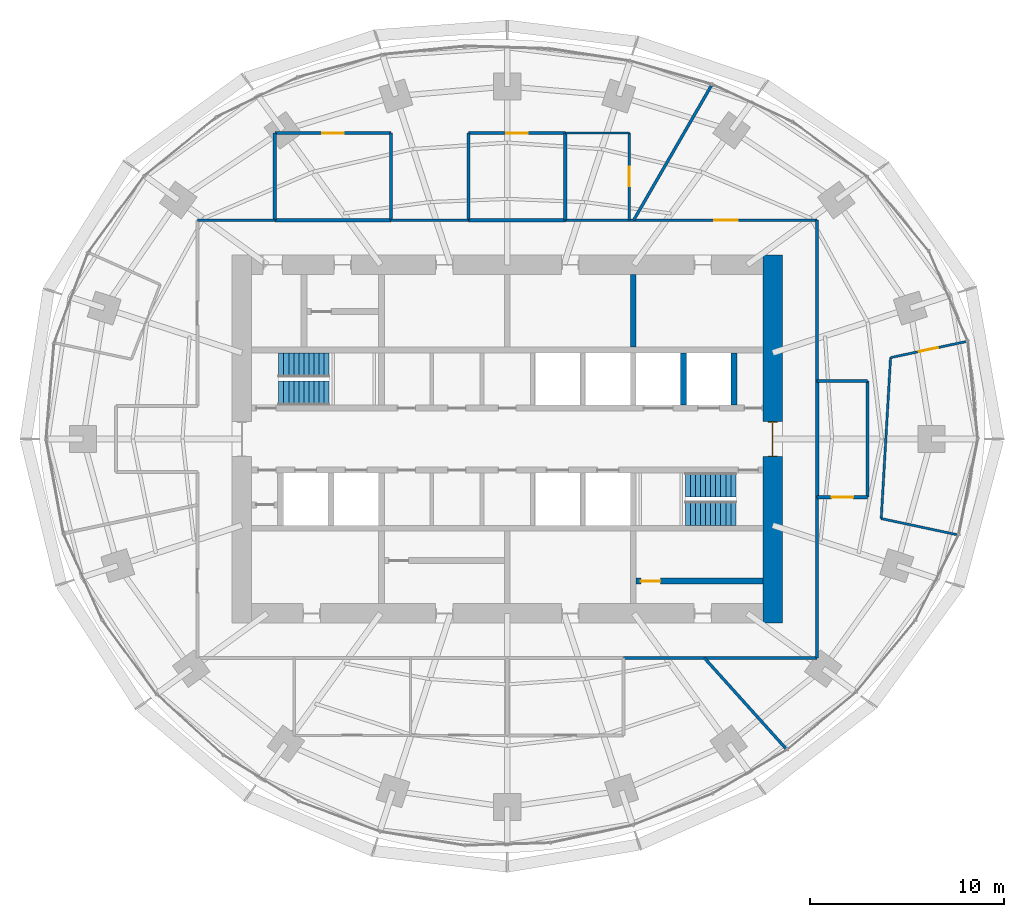
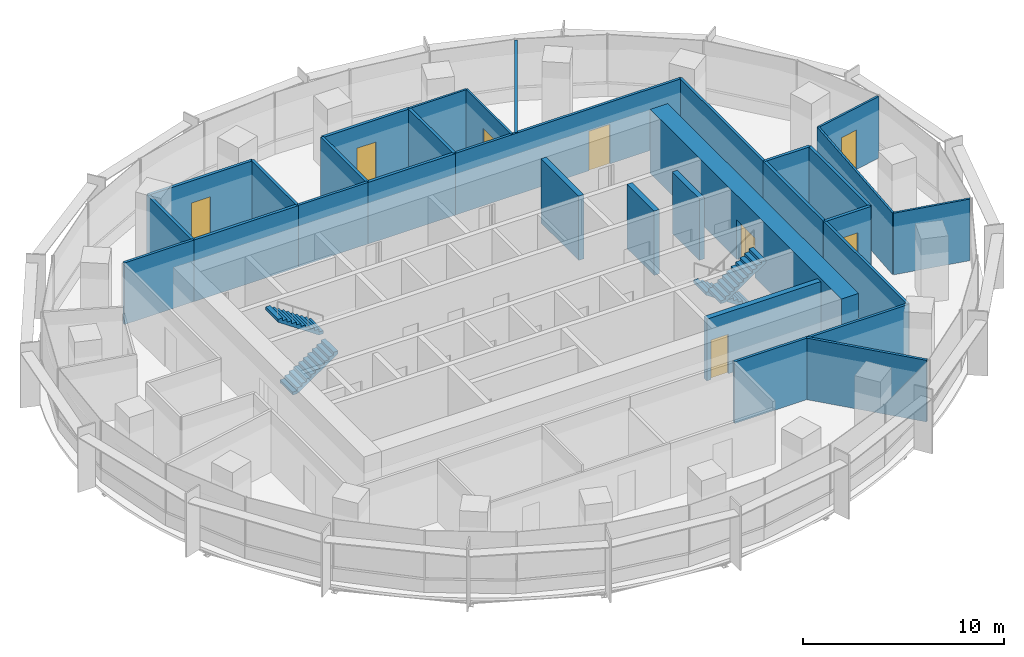
# One storey, part 12 of 14: 30 walls, 8 doors, 4 stair flights, 8 openings, 2 elements without a shape of their own.
"""IFC4 building model written with IfcOpenShell, lengths in metres."""

import ifcopenshell
import ifcopenshell.guid

model = None  # the IFC model being written
_history = None  # IfcOwnerHistory: only IFC2X3 demands one
_inside = {}  # id of a spatial element -> (the spatial element, [elements in it])
_under = {}  # id of a project, library or spatial element -> (it, [spatial elements below it])
_declared = {}  # id of a project -> (the project, [libraries it declares])
_typed = {}  # id of a type object -> (the type object, [elements of that type])
_made_of = {}  # id of a material, layer set ... -> (it, [elements and type objects made of it])


def new_model(schema):
    """Start an empty IFC model of exactly this schema.

    Asked for "IFC4X3", IfcOpenShell would pick the latest addendum, in which some entities
    have other attributes; the version numbers below select the first issue.
    IFC2X3 requires an IfcOwnerHistory on every rooted entity: one is made here for all.
    """
    global model, _history
    if schema == "IFC4X3":
        model = ifcopenshell.file(schema_version=(4, 3, 0, 0))
    else:
        model = ifcopenshell.file(schema=schema)
    _inside.clear()
    _under.clear()
    _declared.clear()
    _typed.clear()
    _made_of.clear()
    _history = None
    if model.schema == "IFC2X3":
        org = make("IfcOrganization", Name="unknown")
        user = make(
            "IfcPersonAndOrganization",
            ThePerson=make("IfcPerson", FamilyName="unknown"),
            TheOrganization=org,
        )
        app = make(
            "IfcApplication",
            ApplicationDeveloper=org,
            Version="unknown",
            ApplicationFullName="unknown",
            ApplicationIdentifier="unknown",
        )
        _history = make(
            "IfcOwnerHistory",
            OwningUser=user,
            OwningApplication=app,
            ChangeAction="ADDED",
            CreationDate=0,
        )
    return model


def make(cls, **values):
    """One entity of the class cls with the attributes given. An attribute that is None is left unset."""
    return model.create_entity(
        cls, **{name: value for name, value in values.items() if value is not None}
    )


def rooted(cls, **values):
    """An entity with a GlobalId (a new one), such as an element, a storey or a relation."""
    return make(cls, GlobalId=ifcopenshell.guid.new(), OwnerHistory=_history, **values)


def si_unit(unit_type, name, prefix=None):
    """IfcSIUnit, for example si_unit("LENGTHUNIT", "METRE", prefix="MILLI")."""
    return make("IfcSIUnit", UnitType=unit_type, Prefix=prefix, Name=name)


def assignment(units):
    """IfcUnitAssignment: the units of a project."""
    return None if units is None else make("IfcUnitAssignment", Units=units)


def point(xyz):
    """IfcCartesianPoint."""
    return None if xyz is None else make("IfcCartesianPoint", Coordinates=xyz)


def direction(xyz):
    """IfcDirection."""
    return None if xyz is None else make("IfcDirection", DirectionRatios=xyz)


def frame(location, z_axis=None, x_axis=None):
    """IfcAxis2Placement3D, a coordinate frame: its origin and axes. An axis left out is left unset."""
    return make(
        "IfcAxis2Placement3D",
        Location=point(location),
        Axis=direction(z_axis),
        RefDirection=direction(x_axis),
    )


def frame_2d(location, x_axis=None):
    """IfcAxis2Placement2D, a coordinate frame in the plane: its origin and x axis."""
    return make(
        "IfcAxis2Placement2D", Location=point(location), RefDirection=direction(x_axis)
    )


def origin():
    """The frame at (0, 0, 0) with its axes left unset."""
    return frame((0.0, 0.0, 0.0))


def place(relative_to, where):
    """IfcLocalPlacement: puts the frame where relative to a parent placement (None: the world)."""
    return make(
        "IfcLocalPlacement", PlacementRelTo=relative_to, RelativePlacement=where
    )


def context(
    kind, dimensions, precision=None, world=None, true_north=None, identifier=None
):
    """IfcGeometricRepresentationContext, for example the 3D "Model" context."""
    return make(
        "IfcGeometricRepresentationContext",
        ContextIdentifier=identifier,
        ContextType=kind,
        CoordinateSpaceDimension=dimensions,
        Precision=precision,
        WorldCoordinateSystem=world,
        TrueNorth=true_north,
    )


def subcontext(parent, identifier, kind, view, scale=None):
    """IfcGeometricRepresentationSubContext, for example "Body" below "Model"."""
    return make(
        "IfcGeometricRepresentationSubContext",
        ContextIdentifier=identifier,
        ContextType=kind,
        ParentContext=parent,
        TargetScale=scale,
        TargetView=view,
    )


def project(units=None, contexts=None):
    """IfcProject with its units and contexts."""
    return rooted(
        "IfcProject",
        Name="project",
        RepresentationContexts=contexts,
        UnitsInContext=assignment(units),
    )


def spatial(cls, under=None, at=None, **own):
    """A site, building, storey or space (cls), placed at a placement, below another one or the project."""
    s = rooted(cls, ObjectPlacement=at, **own)
    if under is not None:
        _under.setdefault(under.id(), (under, []))[1].append(s)
    return s


def polyline(points):
    """IfcPolyline through the points."""
    return make("IfcPolyline", Points=[point(p) for p in points])


def profile(cls, at=None, kind="AREA", **sizes):
    """A parametric profile (cls). Its sizes go by their IFC names, for example OverallWidth=200.0."""
    return make(cls, ProfileType=kind, Position=at, **sizes)


def rectangle(**sizes):
    """IfcRectangleProfileDef."""
    return profile("IfcRectangleProfileDef", **sizes)


def outline(outer, holes=None, kind="AREA"):
    """IfcArbitraryClosedProfileDef: a profile drawn as a closed curve; with holes, ...WithVoids."""
    if holes is None:
        return make("IfcArbitraryClosedProfileDef", ProfileType=kind, OuterCurve=outer)
    return make(
        "IfcArbitraryProfileDefWithVoids",
        ProfileType=kind,
        OuterCurve=outer,
        InnerCurves=holes,
    )


def extrude(swept, where, along, depth):
    """IfcExtrudedAreaSolid: the profile swept, set in the frame where, extruded along a direction by depth."""
    return make(
        "IfcExtrudedAreaSolid",
        SweptArea=swept,
        Position=where,
        ExtrudedDirection=direction(along),
        Depth=depth,
    )


def shape(context_of_items, identifier, shape_type, items):
    """IfcShapeRepresentation: the items that make up one representation, for example the "Body"."""
    return make(
        "IfcShapeRepresentation",
        ContextOfItems=context_of_items,
        RepresentationIdentifier=identifier,
        RepresentationType=shape_type,
        Items=items,
    )


def material(Name=None, Category=None):
    """IfcMaterial."""
    return make("IfcMaterial", Name=Name, Category=Category)


def layer(
    of_material, thickness, ventilated=None, Name=None, Category=None, Priority=None
):
    """IfcMaterialLayer: one layer of a wall or slab, of a material (None: an air gap)."""
    return make(
        "IfcMaterialLayer",
        Material=of_material,
        LayerThickness=thickness,
        IsVentilated=ventilated,
        Name=Name,
        Category=Category,
        Priority=Priority,
    )


def layer_set(layers, Name=None):
    """IfcMaterialLayerSet."""
    return make("IfcMaterialLayerSet", MaterialLayers=layers, LayerSetName=Name)


def made_of(thing, what):
    """Note that an element or type object is made of a material, layer set ...; save() writes the relation."""
    if what is not None:
        _made_of.setdefault(what.id(), (what, []))[1].append(thing)
    return thing


def type_object(cls, material=None, **own):
    """A type object (cls), such as IfcWallType, which elements share."""
    return made_of(rooted(cls, **own), material)


def element(
    cls,
    number,
    at=None,
    inside=None,
    cuts=None,
    type_object=None,
    material=None,
    context=None,
    identifier="Body",
    shape_type=None,
    held_by="IfcProductDefinitionShape",
    body=None,
    shapes=None,
    **own,
):
    """One element of the class cls, such as IfcWall. Its Tag is "e" and its number.

    at: its placement. inside: the storey or other place that contains it. cuts: it is an
    opening in that element (IfcRelVoidsElement). A single representation is given by context,
    identifier, shape_type and body (its items); several are given by shapes. held_by: the class
    of the entity that holds the representations. save() writes the other relations.
    """
    e = rooted(cls, Tag="e%d" % number, ObjectPlacement=at, **own)
    if body is not None:
        shapes = [shape(context, identifier, shape_type, body)]
    if shapes is not None:
        e.Representation = make(held_by, Representations=shapes)
    if inside is not None:
        _inside.setdefault(inside.id(), (inside, []))[1].append(e)
    if cuts is not None:
        rooted(
            "IfcRelVoidsElement", RelatingBuildingElement=cuts, RelatedOpeningElement=e
        )
    if type_object is not None:
        _typed.setdefault(type_object.id(), (type_object, []))[1].append(e)
    return made_of(e, material)


def fill(opening, filler):
    """IfcRelFillsElement: the door or window that sits in an opening."""
    return rooted(
        "IfcRelFillsElement",
        RelatingOpeningElement=opening,
        RelatedBuildingElement=filler,
    )


def aggregate(whole, parts):
    """IfcRelAggregates: a whole, such as a stair, and the parts it consists of."""
    return rooted("IfcRelAggregates", RelatingObject=whole, RelatedObjects=parts)


def save(model, path):
    """Write the relations noted so far, then the file.

    IfcRelAggregates (storeys below a building ...), IfcRelContainedInSpatialStructure (elements
    in a storey), IfcRelDefinesByType, IfcRelAssociatesMaterial and IfcRelDeclares: one each for
    every whole, place, type object, material and project.
    """
    for whole, parts in _under.values():
        aggregate(whole, parts)
    for where, things in _inside.values():
        rooted(
            "IfcRelContainedInSpatialStructure",
            RelatedElements=things,
            RelatingStructure=where,
        )
    for kind, things in _typed.values():
        rooted("IfcRelDefinesByType", RelatedObjects=things, RelatingType=kind)
    for what, things in _made_of.values():
        rooted("IfcRelAssociatesMaterial", RelatedObjects=things, RelatingMaterial=what)
    for by, libraries in _declared.values():
        rooted("IfcRelDeclares", RelatingContext=by, RelatedDefinitions=libraries)
    model.write(path)


model = new_model("IFC4")

# Units and contexts
model_context = context("Model", 3, precision=1e-05, world=origin(), true_north=direction((0.0, 1.0)))
body_context = subcontext(model_context, "Body", "Model", "MODEL_VIEW")
ifc_project = project(units=[si_unit("LENGTHUNIT", "METRE"), si_unit("AREAUNIT", "SQUARE_METRE"), si_unit("VOLUMEUNIT", "CUBIC_METRE"), si_unit("PLANEANGLEUNIT", "RADIAN"), si_unit("MASSUNIT", "GRAM", prefix="KILO")], contexts=[model_context])

# Site, building, storey
site_placement = place(None, origin())
site = spatial("IfcSite", under=ifc_project, at=site_placement, CompositionType="ELEMENT")
building_placement = place(site_placement, origin())
building = spatial("IfcBuilding", under=site, at=building_placement, Name="Marramba Exchange Tower", CompositionType="ELEMENT")
storey_placement = place(building_placement, frame((0.0, 0.0, 199.39990234375)))
storey = spatial("IfcBuildingStorey", under=building, at=storey_placement, Name="L48", CompositionType="ELEMENT", Elevation=199.39990234375)

# Wall, opening, door
ifc_material_1 = material(Name="Plasterboard on staggered double steel studs, acoustic insulation", Category="steel")
ifc_layer_1 = layer(ifc_material_1, 0.169921875)
ifc_layer_set_1 = layer_set([ifc_layer_1], Name="Acoustic partition 170")
wall_type_1 = type_object("IfcWallType", Name="Acoustic partition 170", PredefinedType="PARTITIONING", material=ifc_layer_set_1)
wall_1_placement = place(storey_placement, frame((16.0, -3.0, 0.0), z_axis=(0.0, 0.0, 1.0), x_axis=(1.0, 0.0, 0.0)))
wall_1 = element("IfcWall", 1, at=wall_1_placement, inside=storey, type_object=wall_type_1, Name="Acoustic partition L48 16", PredefinedType="PARTITIONING", context=body_context, shape_type="SweptSolid", body=[
    extrude(rectangle(XDim=2.60009765625, YDim=0.169921875, at=frame_2d((1.300048828125, 0.0))), origin(), (0.0, 0.0, 1.0), 3.739990234375),
])
opening_1_placement = place(wall_1_placement, frame((0.75, 0.0, 0.0)))
opening_1 = element("IfcOpeningElement", 2, at=opening_1_placement, cuts=wall_1, Name="Opening D15", PredefinedType="OPENING", context=body_context, shape_type="SweptSolid", body=[
    extrude(rectangle(XDim=1.10009765625, YDim=2.39990234375, at=frame_2d((0.550048828125, 1.199951171875))), frame((0.0, 0.094970703125, 0.0), z_axis=(0.0, -1.0, 0.0), x_axis=(1.0, 0.0, 0.0)), (0.0, 0.0, 1.0), 0.18994140625),
])
ifc_material_2 = material(Name="Timber door", Category="wood")
door_type_1 = type_object("IfcDoorType", Name="Glazed meeting room door 1100x2400", OperationType="SINGLE_SWING_LEFT", PredefinedType="DOOR", material=ifc_material_2)
door_1_placement = place(opening_1_placement, origin())
door_1 = element("IfcDoor", 3, at=door_1_placement, inside=storey, type_object=door_type_1, Name="D15 Meeting Room 1 L48", OperationType="SINGLE_SWING_RIGHT", OverallHeight=2.39990234375, OverallWidth=1.10009765625, PredefinedType="DOOR", context=body_context, shape_type="SweptSolid", body=[
    extrude(rectangle(XDim=1.10009765625, YDim=2.39990234375, at=frame_2d((0.550048828125, 1.199951171875))), frame((0.0, 0.02490234375, 0.0), z_axis=(0.0, -1.0, 0.0), x_axis=(1.0, 0.0, 0.0)), (0.0, 0.0, 1.0), 0.050048828125),
])
fill(opening_1, door_1)

# Walls
for number, where, z_axis, x_axis, name in (
    (4, (16.0, 3.0, 0.0), (0.0, 0.0, 1.0), (0.0, -1.0, 0.0), "Acoustic partition L48 17"),
    (5, (18.60009765625, -3.0, 0.0), (0.0, 0.0, 1.0), (0.0, 1.0, 0.0), "Acoustic partition L48 18"),
):
    element("IfcWall", number, at=place(storey_placement, frame(where, z_axis=z_axis, x_axis=x_axis)), inside=storey, type_object=wall_type_1, Name=name, PredefinedType="PARTITIONING", context=body_context, shape_type="SweptSolid", body=[
        extrude(rectangle(XDim=6.0, YDim=0.169921875, at=frame_2d((3.0, 0.0))), origin(), (0.0, 0.0, 1.0), 3.739990234375),
    ])
wall_2_placement = place(storey_placement, frame((18.60009765625, 3.0, 0.0), z_axis=(0.0, 0.0, 1.0), x_axis=(-1.0, 0.0, 0.0)))
element("IfcWall", 6, at=wall_2_placement, inside=storey, type_object=wall_type_1, Name="Acoustic partition L48 20", PredefinedType="PARTITIONING", context=body_context, shape_type="SweptSolid", body=[
    extrude(rectangle(XDim=2.60009765625, YDim=0.169921875, at=frame_2d((1.300048828125, 0.0))), origin(), (0.0, 0.0, 1.0), 3.739990234375),
])
wall_3_placement = place(storey_placement, frame((3.0, 15.800048828125, 0.0), z_axis=(0.0, 0.0, 1.0), x_axis=(0.0, -1.0, 0.0)))
element("IfcWall", 7, at=wall_3_placement, inside=storey, type_object=wall_type_1, Name="Acoustic partition L48 27", PredefinedType="PARTITIONING", context=body_context, shape_type="SweptSolid", body=[
    extrude(rectangle(XDim=4.5, YDim=0.169921875, at=frame_2d((2.25, 0.0))), origin(), (0.0, 0.0, 1.0), 3.739990234375),
])
wall_4_placement = place(storey_placement, frame((-2.0, 11.300048828125, 0.0), z_axis=(0.0, 0.0, 1.0), x_axis=(1.0, 0.0, 0.0)))
element("IfcWall", 8, at=wall_4_placement, inside=storey, type_object=wall_type_1, Name="Acoustic partition L48 28", PredefinedType="PARTITIONING", context=body_context, shape_type="SweptSolid", body=[
    extrude(rectangle(XDim=5.0, YDim=0.169921875, at=frame_2d((2.5, 0.0))), origin(), (0.0, 0.0, 1.0), 3.739990234375),
])

# Wall, opening, door
wall_5_placement = place(storey_placement, frame((3.0, 15.800048828125, 0.0), z_axis=(0.0, 0.0, 1.0), x_axis=(-1.0, 0.0, 0.0)))
wall_5 = element("IfcWall", 9, at=wall_5_placement, inside=storey, type_object=wall_type_1, Name="Acoustic partition L48 29", PredefinedType="PARTITIONING", context=body_context, shape_type="SweptSolid", body=[
    extrude(rectangle(XDim=5.0, YDim=0.169921875, at=frame_2d((2.5, 0.0))), origin(), (0.0, 0.0, 1.0), 3.739990234375),
])
opening_2_placement = place(wall_5_placement, frame((1.949951171875, 0.0, 0.0)))
opening_2 = element("IfcOpeningElement", 10, at=opening_2_placement, cuts=wall_5, Name="Opening D15", PredefinedType="OPENING", context=body_context, shape_type="SweptSolid", body=[
    extrude(rectangle(XDim=1.10009765625, YDim=2.39990234375, at=frame_2d((0.550048828125, 1.199951171875))), frame((0.0, 0.094970703125, 0.0), z_axis=(0.0, -1.0, 0.0), x_axis=(1.0, 0.0, 0.0)), (0.0, 0.0, 1.0), 0.18994140625),
])
door_2_placement = place(opening_2_placement, origin())
door_2 = element("IfcDoor", 11, at=door_2_placement, inside=storey, type_object=door_type_1, Name="D15 Meeting Room 2 L48", OperationType="SINGLE_SWING_RIGHT", OverallHeight=2.39990234375, OverallWidth=1.10009765625, PredefinedType="DOOR", context=body_context, shape_type="SweptSolid", body=[
    extrude(rectangle(XDim=1.10009765625, YDim=2.39990234375, at=frame_2d((0.550048828125, 1.199951171875))), frame((0.0, 0.02490234375, 0.0), z_axis=(0.0, -1.0, 0.0), x_axis=(1.0, 0.0, 0.0)), (0.0, 0.0, 1.0), 0.050048828125),
])
fill(opening_2, door_2)

# Walls
for number, where, z_axis, x_axis, name in (
    (12, (-2.0, 15.800048828125, 0.0), (0.0, 0.0, 1.0), (0.0, -1.0, 0.0), "Acoustic partition L48 30"),
    (13, (-6.0, 11.300048828125, 0.0), (0.0, 0.0, 1.0), (0.0, 1.0, 0.0), "Acoustic partition L48 32"),
):
    element("IfcWall", number, at=place(storey_placement, frame(where, z_axis=z_axis, x_axis=x_axis)), inside=storey, type_object=wall_type_1, Name=name, PredefinedType="PARTITIONING", context=body_context, shape_type="SweptSolid", body=[
        extrude(rectangle(XDim=4.5, YDim=0.169921875, at=frame_2d((2.25, 0.0))), origin(), (0.0, 0.0, 1.0), 3.739990234375),
    ])

# Wall, opening, door
wall_6_placement = place(storey_placement, frame((-6.0, 15.800048828125, 0.0), z_axis=(0.0, 0.0, 1.0), x_axis=(-1.0, 0.0, 0.0)))
wall_6 = element("IfcWall", 14, at=wall_6_placement, inside=storey, type_object=wall_type_1, Name="Acoustic partition L48 33", PredefinedType="PARTITIONING", context=body_context, shape_type="SweptSolid", body=[
    extrude(rectangle(XDim=6.0, YDim=0.169921875, at=frame_2d((3.0, 0.0))), origin(), (0.0, 0.0, 1.0), 3.739990234375),
])
opening_3_placement = place(wall_6_placement, frame((2.449951171875, 0.0, 0.0)))
opening_3 = element("IfcOpeningElement", 15, at=opening_3_placement, cuts=wall_6, Name="Opening D15", PredefinedType="OPENING", context=body_context, shape_type="SweptSolid", body=[
    extrude(rectangle(XDim=1.10009765625, YDim=2.39990234375, at=frame_2d((0.550048828125, 1.199951171875))), frame((0.0, 0.094970703125, 0.0), z_axis=(0.0, -1.0, 0.0), x_axis=(1.0, 0.0, 0.0)), (0.0, 0.0, 1.0), 0.18994140625),
])
door_3_placement = place(opening_3_placement, origin())
door_3 = element("IfcDoor", 16, at=door_3_placement, inside=storey, type_object=door_type_1, Name="D15 Meeting Room 3 L48", OperationType="SINGLE_SWING_RIGHT", OverallHeight=2.39990234375, OverallWidth=1.10009765625, PredefinedType="DOOR", context=body_context, shape_type="SweptSolid", body=[
    extrude(rectangle(XDim=1.10009765625, YDim=2.39990234375, at=frame_2d((0.550048828125, 1.199951171875))), frame((0.0, 0.02490234375, 0.0), z_axis=(0.0, -1.0, 0.0), x_axis=(1.0, 0.0, 0.0)), (0.0, 0.0, 1.0), 0.050048828125),
])
fill(opening_3, door_3)

# Walls
wall_7_placement = place(storey_placement, frame((-12.0, 11.300048828125, 0.0), z_axis=(0.0, 0.0, 1.0), x_axis=(1.0, 0.0, 0.0)))
element("IfcWall", 17, at=wall_7_placement, inside=storey, type_object=wall_type_1, Name="Acoustic partition L48 34", PredefinedType="PARTITIONING", context=body_context, shape_type="SweptSolid", body=[
    extrude(rectangle(XDim=6.0, YDim=0.169921875, at=frame_2d((3.0, 0.0))), origin(), (0.0, 0.0, 1.0), 3.739990234375),
])
wall_8_placement = place(storey_placement, frame((-12.0, 15.800048828125, 0.0), z_axis=(0.0, 0.0, 1.0), x_axis=(0.0, -1.0, 0.0)))
element("IfcWall", 18, at=wall_8_placement, inside=storey, type_object=wall_type_1, Name="Acoustic partition L48 35", PredefinedType="PARTITIONING", context=body_context, shape_type="SweptSolid", body=[
    extrude(rectangle(XDim=4.5, YDim=0.169921875, at=frame_2d((2.25, 0.0))), origin(), (0.0, 0.0, 1.0), 3.739990234375),
])

# Wall, opening, door
ifc_material_3 = material(Name="Concrete N50", Category="concrete")
ifc_layer_2 = layer(ifc_material_3, 1.0)
ifc_layer_set_2 = layer_set([ifc_layer_2], Name="Core wall 1000")
wall_type_2 = type_object("IfcWallType", Name="Core wall 1000", PredefinedType="SHEAR", material=ifc_layer_set_2)
wall_9_placement = place(storey_placement, frame((13.699951171875, -9.5, 0.0), z_axis=(0.0, 0.0, 1.0), x_axis=(0.0, 1.0, 0.0)))
wall_9 = element("IfcWall", 19, at=wall_9_placement, inside=storey, type_object=wall_type_2, Name="Core wall E L48", PredefinedType="SHEAR", context=body_context, shape_type="SweptSolid", body=[
    extrude(rectangle(XDim=19.0, YDim=1.0, at=frame_2d((9.5, 0.0))), origin(), (0.0, 0.0, 1.0), 3.900146484375),
])
opening_4_placement = place(wall_9_placement, frame((8.60009765625, 0.0, 0.0)))
opening_4 = element("IfcOpeningElement", 20, at=opening_4_placement, cuts=wall_9, Name="Opening D1", PredefinedType="OPENING", context=body_context, shape_type="SweptSolid", body=[
    extrude(rectangle(XDim=1.800048828125, YDim=2.39990234375, at=frame_2d((0.89990234375, 1.199951171875))), frame((0.0, 0.510009765625, 0.0), z_axis=(0.0, -1.0, 0.0), x_axis=(1.0, 0.0, 0.0)), (0.0, 0.0, 1.0), 1.02001953125),
])
ifc_material_4 = material(Name="Steel-framed door", Category="steel")
door_type_2 = type_object("IfcDoorType", Name="Lobby exit door 1800x2400", OperationType="DOUBLE_DOOR_SINGLE_SWING", PredefinedType="DOOR", material=ifc_material_4)
door_4_placement = place(opening_4_placement, origin())
door_4 = element("IfcDoor", 21, at=door_4_placement, inside=storey, type_object=door_type_2, Name="D1 lobby exit east L48", OperationType="DOUBLE_DOOR_SINGLE_SWING", OverallHeight=2.39990234375, OverallWidth=1.800048828125, PredefinedType="DOOR", context=body_context, shape_type="SweptSolid", body=[
    extrude(rectangle(XDim=1.719970703125, YDim=2.35986328125, at=frame_2d((0.89990234375, 1.179931640625))), frame((0.0, 0.02490234375, 0.0), z_axis=(0.0, -1.0, 0.0), x_axis=(1.0, 0.0, 0.0)), (0.0, 0.0, 1.0), 0.050048828125),
    extrude(rectangle(XDim=0.04, YDim=2.39990234375, at=frame_2d((0.02001953125, 1.199951171875))), frame((0.0, 0.25, 0.0), z_axis=(0.0, -1.0, 0.0), x_axis=(1.0, 0.0, 0.0)), (0.0, 0.0, 1.0), 0.5),
    extrude(rectangle(XDim=0.04, YDim=2.39990234375, at=frame_2d((1.780029296875, 1.199951171875))), frame((0.0, 0.25, 0.0), z_axis=(0.0, -1.0, 0.0), x_axis=(1.0, 0.0, 0.0)), (0.0, 0.0, 1.0), 0.5),
    extrude(rectangle(XDim=1.719970703125, YDim=0.04, at=frame_2d((0.89990234375, 2.3798828125))), frame((0.0, 0.25, 0.0), z_axis=(0.0, -1.0, 0.0), x_axis=(1.0, 0.0, 0.0)), (0.0, 0.0, 1.0), 0.5),
])
fill(opening_4, door_4)

# Walls
ifc_layer_3 = layer(ifc_material_3, 0.300048828125)
ifc_layer_set_3 = layer_set([ifc_layer_3], Name="Core wall 300")
wall_type_3 = type_object("IfcWallType", Name="Core wall 300", PredefinedType="SHEAR", material=ifc_layer_set_3)
wall_10_placement = place(storey_placement, frame((6.5, 4.75, 0.0), z_axis=(0.0, 0.0, 1.0), x_axis=(0.0, 1.0, 0.0)))
element("IfcWall", 22, at=wall_10_placement, inside=storey, type_object=wall_type_3, Name="Core wall X1Nb L48", PredefinedType="SHEAR", context=body_context, shape_type="SweptSolid", body=[
    extrude(rectangle(XDim=3.75, YDim=0.300048828125, at=frame_2d((1.875, 0.0))), origin(), (0.0, 0.0, 1.0), 3.900146484375),
])
wall_11_placement = place(storey_placement, frame((9.10009765625, 1.75, 0.0), z_axis=(0.0, 0.0, 1.0), x_axis=(0.0, 1.0, 0.0)))
element("IfcWall", 23, at=wall_11_placement, inside=storey, type_object=wall_type_3, Name="Core wall ED L48", PredefinedType="SHEAR", context=body_context, shape_type="SweptSolid", body=[
    extrude(rectangle(XDim=2.699951171875, YDim=0.300048828125, at=frame_2d((1.35009765625, 0.0))), origin(), (0.0, 0.0, 1.0), 3.900146484375),
])
ifc_material_5 = material(Name="Core-filled concrete blockwork", Category="masonry")
ifc_layer_4 = layer(ifc_material_5, 0.300048828125)
ifc_layer_set_4 = layer_set([ifc_layer_4], Name="Lift shaft wall 300")
wall_type_4 = type_object("IfcWallType", Name="Lift shaft wall 300", PredefinedType="SOLIDWALL", material=ifc_layer_set_4)
wall_12_placement = place(storey_placement, frame((11.699951171875, 1.75, 0.0), z_axis=(0.0, 0.0, 1.0), x_axis=(0.0, 1.0, 0.0)))
element("IfcWall", 24, at=wall_12_placement, inside=storey, type_object=wall_type_4, Name="Lift shaft wall E1 L48", PredefinedType="SOLIDWALL", context=body_context, shape_type="SweptSolid", body=[
    extrude(rectangle(XDim=2.699951171875, YDim=0.300048828125, at=frame_2d((1.35009765625, 0.0))), origin(), (0.0, 0.0, 1.0), 3.739990234375),
])
ifc_material_6 = material(Name="Plasterboard on steel studs", Category="steel")
ifc_layer_5 = layer(ifc_material_6, 0.1201171875)
ifc_layer_set_5 = layer_set([ifc_layer_5], Name="Partition 120")
wall_type_5 = type_object("IfcWallType", Name="Partition 120", PredefinedType="PARTITIONING", material=ifc_layer_set_5)
wall_13_placement = place(storey_placement, frame((19.3056640625, -4.103515625, 0.0), z_axis=(0.0, 0.0, 1.0), x_axis=(0.978137903693, -0.207957306576, 0.0)))
element("IfcWall", 25, at=wall_13_placement, inside=storey, type_object=wall_type_5, Name="Partition L48 15", PredefinedType="PARTITIONING", context=body_context, shape_type="SweptSolid", body=[
    extrude(rectangle(XDim=3.999755859375, YDim=0.1201171875, at=frame_2d((2.0, 0.0))), origin(), (0.0, 0.0, 1.0), 3.739990234375),
])
wall_14_placement = place(storey_placement, frame((19.787841796875, 4.2060546875, 0.0), z_axis=(0.0, 0.0, 1.0), x_axis=(-0.0579293499, -0.998320685161, 0.0)))
element("IfcWall", 26, at=wall_14_placement, inside=storey, type_object=wall_type_5, Name="Partition L48 19", PredefinedType="PARTITIONING", context=body_context, shape_type="SweptSolid", body=[
    extrude(rectangle(XDim=8.323486328125, YDim=0.1201171875, at=frame_2d((4.16162109375, 0.0))), origin(), (0.0, 0.0, 1.0), 3.739990234375),
])

# Wall, opening, door
wall_15_placement = place(storey_placement, frame((23.700439453125, 5.03759765625, 0.0), z_axis=(0.0, 0.0, 1.0), x_axis=(-0.978152955943, -0.207886494942, 0.0)))
wall_15 = element("IfcWall", 27, at=wall_15_placement, inside=storey, type_object=wall_type_5, Name="Partition L48 21", PredefinedType="PARTITIONING", context=body_context, shape_type="SweptSolid", body=[
    extrude(rectangle(XDim=4.0, YDim=0.1201171875, at=frame_2d((2.0, 0.0))), origin(), (0.0, 0.0, 1.0), 3.739990234375),
])
opening_5_placement = place(wall_15_placement, frame((1.5, 0.0, 0.0)))
opening_5 = element("IfcOpeningElement", 28, at=opening_5_placement, cuts=wall_15, Name="Opening D9", PredefinedType="OPENING", context=body_context, shape_type="SweptSolid", body=[
    extrude(rectangle(XDim=1.0, YDim=2.39990234375, at=frame_2d((0.5, 1.199951171875))), frame((0.0, 0.070068359375, 0.0), z_axis=(0.0, -1.0, 0.0), x_axis=(1.0, 0.0, 0.0)), (0.0, 0.0, 1.0), 0.14013671875),
])
door_type_3 = type_object("IfcDoorType", Name="Room door 1000x2400", OperationType="SINGLE_SWING_LEFT", PredefinedType="DOOR", material=ifc_material_2)
door_5_placement = place(opening_5_placement, origin())
door_5 = element("IfcDoor", 29, at=door_5_placement, inside=storey, type_object=door_type_3, Name="D9 Office L48", OperationType="SINGLE_SWING_LEFT", OverallHeight=2.39990234375, OverallWidth=1.0, PredefinedType="DOOR", context=body_context, shape_type="SweptSolid", body=[
    extrude(rectangle(XDim=1.0, YDim=2.39990234375, at=frame_2d((0.5, 1.199951171875))), frame((0.0, 0.02490234375, 0.0), z_axis=(0.0, -1.0, 0.0), x_axis=(1.0, 0.0, 0.0)), (0.0, 0.0, 1.0), 0.050048828125),
])
fill(opening_5, door_5)

wall_16_placement = place(storey_placement, frame((6.300048828125, 11.300048828125, 0.0), z_axis=(0.0, 0.0, 1.0), x_axis=(0.0, 1.0, 0.0)))
wall_16 = element("IfcWall", 30, at=wall_16_placement, inside=storey, type_object=wall_type_5, Name="Partition L48 25", PredefinedType="PARTITIONING", context=body_context, shape_type="SweptSolid", body=[
    extrude(rectangle(XDim=4.5, YDim=0.1201171875, at=frame_2d((2.25, 0.0))), origin(), (0.0, 0.0, 1.0), 3.739990234375),
])
opening_6_placement = place(wall_16_placement, frame((1.75, 0.0, 0.0)))
opening_6 = element("IfcOpeningElement", 31, at=opening_6_placement, cuts=wall_16, Name="Opening D9", PredefinedType="OPENING", context=body_context, shape_type="SweptSolid", body=[
    extrude(rectangle(XDim=1.0, YDim=2.39990234375, at=frame_2d((0.5, 1.199951171875))), frame((0.0, 0.070068359375, 0.0), z_axis=(0.0, -1.0, 0.0), x_axis=(1.0, 0.0, 0.0)), (0.0, 0.0, 1.0), 0.14013671875),
])
door_6_placement = place(opening_6_placement, origin())
door_6 = element("IfcDoor", 32, at=door_6_placement, inside=storey, type_object=door_type_3, Name="D9 Pantry 1 L48", OperationType="SINGLE_SWING_RIGHT", OverallHeight=2.39990234375, OverallWidth=1.0, PredefinedType="DOOR", context=body_context, shape_type="SweptSolid", body=[
    extrude(rectangle(XDim=1.0, YDim=2.39990234375, at=frame_2d((0.5, 1.199951171875))), frame((0.0, 0.02490234375, 0.0), z_axis=(0.0, -1.0, 0.0), x_axis=(1.0, 0.0, 0.0)), (0.0, 0.0, 1.0), 0.050048828125),
])
fill(opening_6, door_6)

# Wall
wall_17_placement = place(storey_placement, frame((6.300048828125, 15.800048828125, 0.0), z_axis=(0.0, 0.0, 1.0), x_axis=(-1.0, 0.0, 0.0)))
element("IfcWall", 33, at=wall_17_placement, inside=storey, type_object=wall_type_5, Name="Partition L48 26", PredefinedType="PARTITIONING", context=body_context, shape_type="SweptSolid", body=[
    extrude(rectangle(XDim=3.300048828125, YDim=0.1201171875, at=frame_2d((1.64990234375, 0.0))), origin(), (0.0, 0.0, 1.0), 3.739990234375),
])

# Wall, opening, door
ifc_material_7 = material(Name="Plasterboard on steel studs, insulated, unrated", Category="steel")
ifc_layer_6 = layer(ifc_material_7, 0.300048828125)
ifc_layer_set_6 = layer_set([ifc_layer_6], Name="Store partition 300")
wall_type_6 = type_object("IfcWallType", Name="Store partition 300", PredefinedType="PARTITIONING", material=ifc_layer_set_6)
wall_18_placement = place(storey_placement, frame((6.64990234375, -7.327880859375, 0.0), z_axis=(0.0, 0.0, 1.0), x_axis=(1.0, 0.0, 0.0)))
wall_18 = element("IfcWall", 34, at=wall_18_placement, inside=storey, type_object=wall_type_6, Name="Store partition L48 cstore", PredefinedType="PARTITIONING", context=body_context, shape_type="SweptSolid", body=[
    extrude(rectangle(XDim=6.550048828125, YDim=0.300048828125, at=frame_2d((3.27490234375, 0.0))), origin(), (0.0, 0.0, 1.0), 3.739990234375),
])
opening_7_placement = place(wall_18_placement, frame((0.25, 0.0, 0.0)))
opening_7 = element("IfcOpeningElement", 35, at=opening_7_placement, cuts=wall_18, Name="Opening D9", PredefinedType="OPENING", context=body_context, shape_type="SweptSolid", body=[
    extrude(rectangle(XDim=1.0, YDim=2.39990234375, at=frame_2d((0.5, 1.199951171875))), frame((0.0, 0.159912109375, 0.0), z_axis=(0.0, -1.0, 0.0), x_axis=(1.0, 0.0, 0.0)), (0.0, 0.0, 1.0), 0.320068359375),
])
door_7_placement = place(opening_7_placement, frame((1.0, 0.0, 0.0), z_axis=(0.0, 0.0, 1.0), x_axis=(-1.0, 0.0, 0.0)))
door_7 = element("IfcDoor", 36, at=door_7_placement, inside=storey, type_object=door_type_3, Name="D9 general store L48", OperationType="SINGLE_SWING_RIGHT", OverallHeight=2.39990234375, OverallWidth=1.0, PredefinedType="DOOR", context=body_context, shape_type="SweptSolid", body=[
    extrude(rectangle(XDim=1.0, YDim=2.39990234375, at=frame_2d((0.5, 1.199951171875))), frame((0.0, 0.025146484375, 0.0), z_axis=(0.0, -1.0, 0.0), x_axis=(1.0, 0.0, 0.0)), (0.0, 0.0, 1.0), 0.050048828125),
])
fill(opening_7, door_7)

# Walls
ifc_material_8 = material(Name="Fire-rated plasterboard on steel studs, acoustic insulation", Category="steel")
ifc_layer_7 = layer(ifc_material_8, 0.14990234375)
ifc_layer_set_7 = layer_set([ifc_layer_7], Name="Tenancy wall 150")
wall_type_7 = type_object("IfcWallType", Name="Tenancy wall 150", PredefinedType="PARTITIONING", material=ifc_layer_set_7)
wall_19_placement = place(storey_placement, frame((14.38525390625, -15.976318359375, 0.0), z_axis=(0.0, 0.0, 1.0), x_axis=(-0.669144767844, 0.743132074174, 0.0)))
element("IfcWall", 37, at=wall_19_placement, inside=storey, type_object=wall_type_7, Name="Tenancy wall L48 12", PredefinedType="PARTITIONING", context=body_context, shape_type="SweptSolid", body=[
    extrude(rectangle(XDim=6.292724609375, YDim=0.14990234375, at=frame_2d((3.146484375, 0.0))), origin(), (0.0, 0.0, 1.0), 3.739990234375),
])
wall_20_placement = place(storey_placement, frame((6.0, -11.300048828125, 0.0), z_axis=(0.0, 0.0, 1.0), x_axis=(1.0, 0.0, 0.0)))
element("IfcWall", 38, at=wall_20_placement, inside=storey, type_object=wall_type_7, Name="Tenancy wall L48 13", PredefinedType="PARTITIONING", context=body_context, shape_type="SweptSolid", body=[
    extrude(rectangle(XDim=10.0, YDim=0.14990234375, at=frame_2d((5.0, 0.0))), origin(), (0.0, 0.0, 1.0), 3.739990234375),
])
for number, where, z_axis, x_axis, name in (
    (39, (16.0, -11.300048828125, 0.0), (0.0, 0.0, 1.0), (0.0, 1.0, 0.0), "Tenancy wall L48 14"),
    (40, (16.0, 3.0, 0.0), (0.0, 0.0, 1.0), (0.0, 1.0, 0.0), "Tenancy wall L48 22"),
):
    element("IfcWall", number, at=place(storey_placement, frame(where, z_axis=z_axis, x_axis=x_axis)), inside=storey, type_object=wall_type_7, Name=name, PredefinedType="PARTITIONING", context=body_context, shape_type="SweptSolid", body=[
        extrude(rectangle(XDim=8.300048828125, YDim=0.14990234375, at=frame_2d((4.14990234375, 0.0))), origin(), (0.0, 0.0, 1.0), 3.739990234375),
    ])

# Wall, opening, door
wall_21_placement = place(storey_placement, frame((16.0, 11.300048828125, 0.0), z_axis=(0.0, 0.0, 1.0), x_axis=(-1.0, 0.0, 0.0)))
wall_21 = element("IfcWall", 41, at=wall_21_placement, inside=storey, type_object=wall_type_7, Name="Tenancy wall L48 23", PredefinedType="PARTITIONING", context=body_context, shape_type="SweptSolid", body=[
    extrude(rectangle(XDim=13.0, YDim=0.14990234375, at=frame_2d((6.5, 0.0))), origin(), (0.0, 0.0, 1.0), 3.739990234375),
])
opening_8_placement = place(wall_21_placement, frame((4.113037109375, 0.0, 0.0)))
opening_8 = element("IfcOpeningElement", 42, at=opening_8_placement, cuts=wall_21, Name="Opening D13", PredefinedType="OPENING", context=body_context, shape_type="SweptSolid", body=[
    extrude(rectangle(XDim=1.199951171875, YDim=2.39990234375, at=frame_2d((0.60009765625, 1.199951171875))), frame((0.0, 0.0849609375, 0.0), z_axis=(0.0, -1.0, 0.0), x_axis=(1.0, 0.0, 0.0)), (0.0, 0.0, 1.0), 0.169921875),
])
door_type_4 = type_object("IfcDoorType", Name="Tenancy entry door 1200x2400", OperationType="SINGLE_SWING_LEFT", PredefinedType="DOOR", material=ifc_material_4)
door_8_placement = place(opening_8_placement, origin())
door_8 = element("IfcDoor", 43, at=door_8_placement, inside=storey, type_object=door_type_4, Name="D13 Office 1 L48", OperationType="SINGLE_SWING_LEFT", OverallHeight=2.39990234375, OverallWidth=1.199951171875, PredefinedType="DOOR", context=body_context, shape_type="SweptSolid", body=[
    extrude(rectangle(XDim=1.199951171875, YDim=2.39990234375, at=frame_2d((0.60009765625, 1.199951171875))), frame((0.0, 0.02490234375, 0.0), z_axis=(0.0, -1.0, 0.0), x_axis=(1.0, 0.0, 0.0)), (0.0, 0.0, 1.0), 0.050048828125),
])
fill(opening_8, door_8)

# Walls
wall_22_placement = place(storey_placement, frame((6.524169921875, 11.300048828125, 0.0), z_axis=(0.0, 0.0, 1.0), x_axis=(0.499985955615, 0.866033512162, 0.0)))
element("IfcWall", 44, at=wall_22_placement, inside=storey, type_object=wall_type_7, Name="Tenancy wall L48 24", PredefinedType="PARTITIONING", context=body_context, shape_type="SweptSolid", body=[
    extrude(rectangle(XDim=8.020263671875, YDim=0.14990234375, at=frame_2d((4.01025390625, 0.0))), origin(), (0.0, 0.0, 1.0), 3.739990234375),
])
for number, where, z_axis, x_axis, name in (
    (45, (-2.0, 11.300048828125, 0.0), (0.0, 0.0, 1.0), (-1.0, 0.0, 0.0), "Tenancy wall L48 31"),
    (46, (-12.0, 11.300048828125, 0.0), (0.0, 0.0, 1.0), (-1.0, 0.0, 0.0), "Tenancy wall L48 36"),
):
    element("IfcWall", number, at=place(storey_placement, frame(where, z_axis=z_axis, x_axis=x_axis)), inside=storey, type_object=wall_type_7, Name=name, PredefinedType="PARTITIONING", context=body_context, shape_type="SweptSolid", body=[
        extrude(rectangle(XDim=4.0, YDim=0.14990234375, at=frame_2d((2.0, 0.0))), origin(), (0.0, 0.0, 1.0), 3.739990234375),
    ])

# Stair, stair flights
ifc_material_9 = material(Name="Concrete N40 (40 MPa)", Category="concrete")
stair_type_1 = type_object("IfcStairType", Name="Exit stair ST1 3900 x 1250", PredefinedType="HALF_TURN_STAIR", material=ifc_material_9)
stair_1_placement = place(storey_placement, origin())
stair_1 = element("IfcStair", 47, at=stair_1_placement, inside=storey, type_object=stair_type_1, Name="Exit stair ST1 L48", PredefinedType="HALF_TURN_STAIR")
stair_flight_type_1 = type_object("IfcStairFlightType", Name="ST1 stair flight 1773 riser 1250 wide", PredefinedType="STRAIGHT", material=ifc_material_9)
stair_flight_1_placement = place(storey_placement, frame((-11.800048828125, 2.375, 0.0), z_axis=(0.0, 0.0, 1.0), x_axis=(1.0, 0.0, 0.0)))
stair_flight_1 = element("IfcStairFlight", 48, at=stair_flight_1_placement, type_object=stair_flight_type_1, Name="ST1 flight 1", NumberOfRisers=11, NumberOfTreads=10, PredefinedType="STRAIGHT", RiserHeight=0.177272727, TreadLength=0.26, context=body_context, shape_type="SweptSolid", body=[
    extrude(outline(polyline([(0.0, 0.0), (0.0, 0.17724609375), (0.260009765625, 0.17724609375), (0.260009765625, 0.3544921875), (0.52001953125, 0.3544921875), (0.52001953125, 0.53173828125), (0.780029296875, 0.53173828125), (0.780029296875, 0.708984375), (1.0400390625, 0.708984375), (1.0400390625, 0.886474609375), (1.300048828125, 0.886474609375), (1.300048828125, 1.063720703125), (1.56005859375, 1.063720703125), (1.56005859375, 1.240966796875), (1.820068359375, 1.240966796875), (1.820068359375, 1.418212890625), (2.080078125, 1.418212890625), (2.080078125, 1.595458984375), (2.340087890625, 1.595458984375), (2.340087890625, 1.772705078125), (2.60009765625, 1.772705078125), (2.60009765625, 1.949951171875), (2.60009765625, 1.59130859375), (0.26611328125, 0.0), (0.0, 0.0)])), frame((0.0, 0.625, 0.0), z_axis=(0.0, -1.0, 0.0), x_axis=(1.0, 0.0, 0.0)), (0.0, 0.0, 1.0), 1.25),
])
stair_flight_2_placement = place(storey_placement, frame((-9.199951171875, 3.824951171875, 1.9501953125), z_axis=(0.0, 0.0, 1.0), x_axis=(-1.0, 0.0, 0.0)))
stair_flight_2 = element("IfcStairFlight", 49, at=stair_flight_2_placement, type_object=stair_flight_type_1, Name="ST1 flight 2", NumberOfRisers=11, NumberOfTreads=10, PredefinedType="STRAIGHT", RiserHeight=0.177272727, TreadLength=0.26, context=body_context, shape_type="SweptSolid", body=[
    extrude(outline(polyline([(0.0, 0.0), (0.0, 0.17724609375), (0.260009765625, 0.17724609375), (0.260009765625, 0.3544921875), (0.52001953125, 0.3544921875), (0.52001953125, 0.53173828125), (0.780029296875, 0.53173828125), (0.780029296875, 0.708984375), (1.0400390625, 0.708984375), (1.0400390625, 0.886474609375), (1.300048828125, 0.886474609375), (1.300048828125, 1.063720703125), (1.56005859375, 1.063720703125), (1.56005859375, 1.240966796875), (1.820068359375, 1.240966796875), (1.820068359375, 1.418212890625), (2.080078125, 1.418212890625), (2.080078125, 1.595458984375), (2.340087890625, 1.595458984375), (2.340087890625, 1.772705078125), (2.60009765625, 1.772705078125), (2.60009765625, 1.949951171875), (2.60009765625, 1.59130859375), (0.26611328125, 0.0), (0.0, 0.0)])), frame((0.0, 0.625, 0.0), z_axis=(0.0, -1.0, 0.0), x_axis=(1.0, 0.0, 0.0)), (0.0, 0.0, 1.0), 1.25),
])
aggregate(stair_1, [stair_flight_1, stair_flight_2])

stair_type_2 = type_object("IfcStairType", Name="Exit stair ST2 3900 x 1250", PredefinedType="HALF_TURN_STAIR", material=ifc_material_9)
stair_2_placement = place(storey_placement, origin())
stair_2 = element("IfcStair", 50, at=stair_2_placement, inside=storey, type_object=stair_type_2, Name="Exit stair ST2 L48", PredefinedType="HALF_TURN_STAIR")
stair_flight_type_2 = type_object("IfcStairFlightType", Name="ST2 stair flight 1773 riser 1250 wide", PredefinedType="STRAIGHT", material=ifc_material_9)
stair_flight_3_placement = place(storey_placement, frame((11.800048828125, -2.375, 0.0), z_axis=(0.0, 0.0, 1.0), x_axis=(-1.0, 0.0, 0.0)))
stair_flight_3 = element("IfcStairFlight", 51, at=stair_flight_3_placement, type_object=stair_flight_type_2, Name="ST2 flight 1", NumberOfRisers=11, NumberOfTreads=10, PredefinedType="STRAIGHT", RiserHeight=0.177272727, TreadLength=0.26, context=body_context, shape_type="SweptSolid", body=[
    extrude(outline(polyline([(0.0, 0.0), (0.0, 0.17724609375), (0.260009765625, 0.17724609375), (0.260009765625, 0.3544921875), (0.52001953125, 0.3544921875), (0.52001953125, 0.53173828125), (0.780029296875, 0.53173828125), (0.780029296875, 0.708984375), (1.0400390625, 0.708984375), (1.0400390625, 0.886474609375), (1.300048828125, 0.886474609375), (1.300048828125, 1.063720703125), (1.56005859375, 1.063720703125), (1.56005859375, 1.240966796875), (1.820068359375, 1.240966796875), (1.820068359375, 1.418212890625), (2.080078125, 1.418212890625), (2.080078125, 1.595458984375), (2.340087890625, 1.595458984375), (2.340087890625, 1.772705078125), (2.60009765625, 1.772705078125), (2.60009765625, 1.949951171875), (2.60009765625, 1.59130859375), (0.26611328125, 0.0), (0.0, 0.0)])), frame((0.0, 0.625, 0.0), z_axis=(0.0, -1.0, 0.0), x_axis=(1.0, 0.0, 0.0)), (0.0, 0.0, 1.0), 1.25),
])
stair_flight_4_placement = place(storey_placement, frame((9.199951171875, -3.824951171875, 1.9501953125), z_axis=(0.0, 0.0, 1.0), x_axis=(1.0, 0.0, 0.0)))
stair_flight_4 = element("IfcStairFlight", 52, at=stair_flight_4_placement, type_object=stair_flight_type_2, Name="ST2 flight 2", NumberOfRisers=11, NumberOfTreads=10, PredefinedType="STRAIGHT", RiserHeight=0.177272727, TreadLength=0.26, context=body_context, shape_type="SweptSolid", body=[
    extrude(outline(polyline([(0.0, 0.0), (0.0, 0.17724609375), (0.260009765625, 0.17724609375), (0.260009765625, 0.3544921875), (0.52001953125, 0.3544921875), (0.52001953125, 0.53173828125), (0.780029296875, 0.53173828125), (0.780029296875, 0.708984375), (1.0400390625, 0.708984375), (1.0400390625, 0.886474609375), (1.300048828125, 0.886474609375), (1.300048828125, 1.063720703125), (1.56005859375, 1.063720703125), (1.56005859375, 1.240966796875), (1.820068359375, 1.240966796875), (1.820068359375, 1.418212890625), (2.080078125, 1.418212890625), (2.080078125, 1.595458984375), (2.340087890625, 1.595458984375), (2.340087890625, 1.772705078125), (2.60009765625, 1.772705078125), (2.60009765625, 1.949951171875), (2.60009765625, 1.59130859375), (0.26611328125, 0.0), (0.0, 0.0)])), frame((0.0, 0.625, 0.0), z_axis=(0.0, -1.0, 0.0), x_axis=(1.0, 0.0, 0.0)), (0.0, 0.0, 1.0), 1.25),
])
aggregate(stair_2, [stair_flight_3, stair_flight_4])

save(model, "model.ifc")
